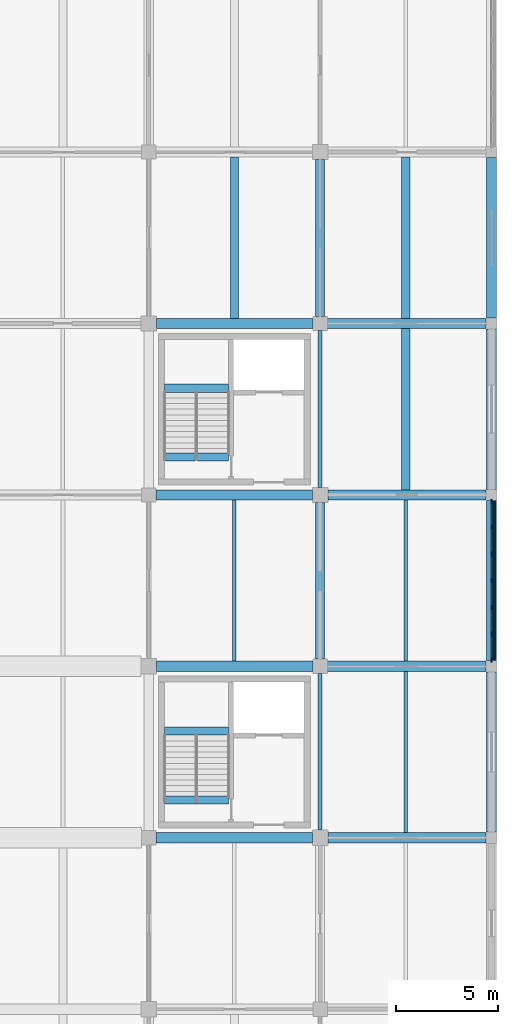
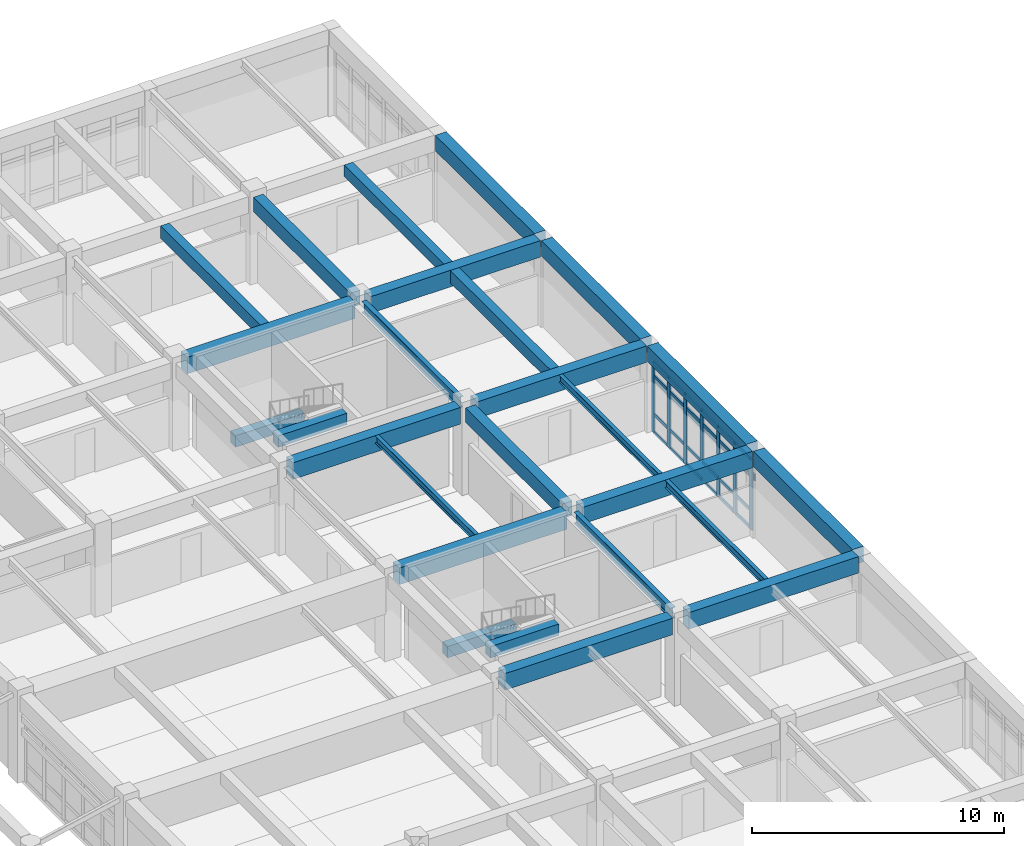
# One storey, part 49 of 99: 33 members, 26 beams, 1 element without a shape of its own.
"""IFC4 building model written with IfcOpenShell, lengths in metres."""

from ifc_helpers import new_model, si_unit, direction, frame, origin, origin_2d, place, context, subcontext, project, spatial, rectangle, i_section, extrude, material, layer, layer_set, material_profile, profile_set, type_object, element, aggregate, save


model = new_model("IFC4")

# Units and contexts
model_context = context("Model", 3, precision=1e-05, world=origin(), true_north=direction((0.0, 1.0)))
body_context = subcontext(model_context, "Body", "Model", "MODEL_VIEW")
ifc_project = project(units=[si_unit("LENGTHUNIT", "METRE"), si_unit("AREAUNIT", "SQUARE_METRE"), si_unit("VOLUMEUNIT", "CUBIC_METRE"), si_unit("PLANEANGLEUNIT", "RADIAN"), si_unit("MASSUNIT", "GRAM", prefix="KILO")], contexts=[model_context])

# Site, building, storey
site_placement = place(None, origin())
site = spatial("IfcSite", under=ifc_project, at=site_placement, CompositionType="ELEMENT")
building_placement = place(site_placement, origin())
building = spatial("IfcBuilding", under=site, at=building_placement, Name="Porcellanite Civic Hall", CompositionType="ELEMENT")
storey_placement = place(building_placement, frame((0.0, 0.0, 5.760009765625)))
storey = spatial("IfcBuildingStorey", under=building, at=storey_placement, Name="L01", CompositionType="ELEMENT", Elevation=5.760009765625)

# Beams
ifc_material_1 = material(Name="Concrete N50 (50 MPa)", Category="concrete")
ifc_material_profile_1 = material_profile(ifc_material_1, rectangle(XDim=0.39990234375, YDim=0.550048828125, at=origin_2d()), Name="RC-400x550")
ifc_profile_set_1 = profile_set([ifc_material_profile_1], Name="Concrete N50 (50 MPa)")
beam_type_1 = type_object("IfcBeamType", Name="BM-RC550", PredefinedType="JOIST", material=ifc_profile_set_1)
beam_1_placement = place(storey_placement, frame((172.199951171875, 59.049560546875, 3.925048828125), z_axis=(0.0, 1.0, 0.0), x_axis=(-1.0, 0.0, 0.0)))
element("IfcBeam", 1, at=beam_1_placement, inside=storey, type_object=beam_type_1, Name="Secondary joist L01 21-8", PredefinedType="JOIST", context=body_context, shape_type="SweptSolid", body=[
    extrude(rectangle(XDim=0.39990234375, YDim=0.550048828125, at=origin_2d()), origin(), (0.0, 0.0, 1.0), 7.90087890625),
])
for number, where, z_axis, x_axis, name in (
    (2, (160.380615234375, 38.824951171875, 1.885009765625), (1.0, 0.0, 0.0), (0.0, 1.0, 0.0), "Stair landing beam C7 L01"),
    (3, (160.380615234375, 35.449951171875, 3.925048828125), (1.0, 0.0, 0.0), (0.0, 1.0, 0.0), "Stair header beam C7 L01"),
    (4, (160.380615234375, 55.625, 1.885009765625), (1.0, 0.0, 0.0), (0.0, 1.0, 0.0), "Stair landing beam C8 L01"),
    (5, (160.380615234375, 52.25, 3.925048828125), (1.0, 0.0, 0.0), (0.0, 1.0, 0.0), "Stair header beam C8 L01"),
):
    element("IfcBeam", number, at=place(storey_placement, frame(where, z_axis=z_axis, x_axis=x_axis)), inside=storey, type_object=beam_type_1, Name=name, PredefinedType="JOIST", context=body_context, shape_type="SweptSolid", body=[
        extrude(rectangle(XDim=0.39990234375, YDim=0.550048828125, at=origin_2d()), origin(), (0.0, 0.0, 1.0), 3.138916015625),
    ])
ifc_material_2 = material(Name="Concrete N50 (50 MPa)", Category="concrete")
ifc_material_profile_2 = material_profile(ifc_material_2, rectangle(XDim=0.39990234375, YDim=0.60009765625, at=origin_2d()), Name="RC-400x600")
ifc_profile_set_2 = profile_set([ifc_material_profile_2], Name="Concrete N50 (50 MPa)")
beam_type_2 = type_object("IfcBeamType", Name="BM-RC600", PredefinedType="JOIST", material=ifc_profile_set_2)
beam_2_placement = place(storey_placement, frame((163.800048828125, 59.049560546875, 3.89990234375), z_axis=(0.0, 1.0, 0.0), x_axis=(-1.0, 0.0, 0.0)))
element("IfcBeam", 6, at=beam_2_placement, inside=storey, type_object=beam_type_2, Name="Secondary joist L01 20-8", PredefinedType="JOIST", context=body_context, shape_type="SweptSolid", body=[
    extrude(rectangle(XDim=0.39990234375, YDim=0.60009765625, at=origin_2d()), origin(), (0.0, 0.0, 1.0), 7.90087890625),
])
beam_3_placement = place(storey_placement, frame((172.199951171875, 50.6494140625, 3.89990234375), z_axis=(0.0, 1.0, 0.0), x_axis=(-1.0, 0.0, 0.0)))
element("IfcBeam", 7, at=beam_3_placement, inside=storey, type_object=beam_type_2, Name="Secondary joist L01 21-7", PredefinedType="JOIST", context=body_context, shape_type="SweptSolid", body=[
    extrude(rectangle(XDim=0.39990234375, YDim=0.60009765625, at=origin_2d()), origin(), (0.0, 0.0, 1.0), 7.901123046875),
])
ifc_material_3 = material(Name="Concrete N50 (50 MPa)", Category="concrete")
ifc_material_profile_3 = material_profile(ifc_material_3, rectangle(XDim=0.449951171875, YDim=0.699951171875, at=origin_2d()), Name="RC-450x700")
ifc_profile_set_3 = profile_set([ifc_material_profile_3], Name="Concrete N50 (50 MPa)")
beam_type_3 = type_object("IfcBeamType", Name="BM-RC700", PredefinedType="BEAM", material=ifc_profile_set_3)
beam_4_placement = place(storey_placement, frame((168.0, 42.349609375, 3.85009765625), z_axis=(0.0, 1.0, 0.0), x_axis=(-1.0, 0.0, 0.0)))
element("IfcBeam", 8, at=beam_4_placement, inside=storey, type_object=beam_type_3, Name="Beam Y L01 21-6", PredefinedType="BEAM", context=body_context, shape_type="SweptSolid", body=[
    extrude(rectangle(XDim=0.449951171875, YDim=0.699951171875, at=origin_2d()), origin(), (0.0, 0.0, 1.0), 7.67578125),
])
beam_5_placement = place(storey_placement, frame((168.0, 59.1494140625, 3.85009765625), z_axis=(0.0, 1.0, 0.0), x_axis=(-1.0, 0.0, 0.0)))
element("IfcBeam", 9, at=beam_5_placement, inside=storey, type_object=beam_type_3, Name="Beam Y L01 21-8", PredefinedType="BEAM", context=body_context, shape_type="SweptSolid", body=[
    extrude(rectangle(XDim=0.449951171875, YDim=0.699951171875, at=origin_2d()), origin(), (0.0, 0.0, 1.0), 7.676025390625),
])
ifc_material_4 = material(Name="Concrete N50 (50 MPa)", Category="concrete")
ifc_material_profile_4 = material_profile(ifc_material_4, rectangle(XDim=0.5, YDim=0.75, at=origin_2d()), Name="RC-500x750")
ifc_profile_set_4 = profile_set([ifc_material_profile_4], Name="Concrete N50 (50 MPa)")
beam_type_4 = type_object("IfcBeamType", Name="BM-RC750", PredefinedType="SPANDREL", material=ifc_profile_set_4)
for number, where, z_axis, x_axis, name in (
    (10, (176.39990234375, 33.87451171875, 3.824951171875), (0.0, 1.0, 0.0), (-1.0, 0.0, 0.0), "Beam Y L01 22-5"),
    (11, (176.39990234375, 42.2744140625, 3.824951171875), (0.0, 1.0, 0.0), (-1.0, 0.0, 0.0), "Beam Y L01 22-6"),
):
    element("IfcBeam", number, at=place(storey_placement, frame(where, z_axis=z_axis, x_axis=x_axis)), inside=storey, type_object=beam_type_4, Name=name, PredefinedType="SPANDREL", context=body_context, shape_type="SweptSolid", body=[
        extrude(rectangle(XDim=0.5, YDim=0.75, at=origin_2d()), origin(), (0.0, 0.0, 1.0), 7.85107421875),
    ])
beam_6_placement = place(storey_placement, frame((176.39990234375, 50.674560546875, 3.824951171875), z_axis=(0.0, 1.0, 0.0), x_axis=(-1.0, 0.0, 0.0)))
element("IfcBeam", 12, at=beam_6_placement, inside=storey, type_object=beam_type_4, Name="Beam Y L01 22-7", PredefinedType="SPANDREL", context=body_context, shape_type="SweptSolid", body=[
    extrude(rectangle(XDim=0.5, YDim=0.75, at=origin_2d()), origin(), (0.0, 0.0, 1.0), 7.850830078125),
])
beam_7_placement = place(storey_placement, frame((176.39990234375, 59.074462890625, 3.824951171875), z_axis=(0.0, 1.0, 0.0), x_axis=(-1.0, 0.0, 0.0)))
element("IfcBeam", 13, at=beam_7_placement, inside=storey, type_object=beam_type_4, Name="Beam Y L01 22-8", PredefinedType="SPANDREL", context=body_context, shape_type="SweptSolid", body=[
    extrude(rectangle(XDim=0.5, YDim=0.75, at=origin_2d()), origin(), (0.0, 0.0, 1.0), 7.85107421875),
])
ifc_material_5 = material(Name="Concrete N50 (50 MPa)", Category="concrete")
ifc_material_profile_5 = material_profile(ifc_material_5, rectangle(XDim=0.5, YDim=0.800048828125, at=origin_2d()), Name="RC-500x800")
ifc_profile_set_5 = profile_set([ifc_material_profile_5], Name="Concrete N50 (50 MPa)")
beam_type_5 = type_object("IfcBeamType", Name="BM-RC800", PredefinedType="BEAM", material=ifc_profile_set_5)
beam_8_placement = place(storey_placement, frame((159.949462890625, 33.60009765625, 3.800048828125), z_axis=(1.0, 0.0, 0.0), x_axis=(0.0, 1.0, 0.0)))
element("IfcBeam", 14, at=beam_8_placement, inside=storey, type_object=beam_type_5, Name="Beam X L01 20-5", PredefinedType="BEAM", context=body_context, shape_type="SweptSolid", body=[
    extrude(rectangle(XDim=0.5, YDim=0.800048828125, at=origin_2d()), origin(), (0.0, 0.0, 1.0), 7.676025390625),
])
beam_9_placement = place(storey_placement, frame((159.974609375, 42.0, 3.800048828125), z_axis=(1.0, 0.0, 0.0), x_axis=(0.0, 1.0, 0.0)))
element("IfcBeam", 15, at=beam_9_placement, inside=storey, type_object=beam_type_5, Name="Beam X L01 20-6", PredefinedType="BEAM", context=body_context, shape_type="SweptSolid", body=[
    extrude(rectangle(XDim=0.5, YDim=0.800048828125, at=origin_2d()), origin(), (0.0, 0.0, 1.0), 7.67578125),
])
beam_10_placement = place(storey_placement, frame((159.949462890625, 50.39990234375, 3.800048828125), z_axis=(1.0, 0.0, 0.0), x_axis=(0.0, 1.0, 0.0)))
element("IfcBeam", 16, at=beam_10_placement, inside=storey, type_object=beam_type_5, Name="Beam X L01 20-7", PredefinedType="BEAM", context=body_context, shape_type="SweptSolid", body=[
    extrude(rectangle(XDim=0.5, YDim=0.800048828125, at=origin_2d()), origin(), (0.0, 0.0, 1.0), 7.676025390625),
])
beam_11_placement = place(storey_placement, frame((159.974609375, 58.800048828125, 3.800048828125), z_axis=(1.0, 0.0, 0.0), x_axis=(0.0, 1.0, 0.0)))
element("IfcBeam", 17, at=beam_11_placement, inside=storey, type_object=beam_type_5, Name="Beam X L01 20-8", PredefinedType="BEAM", context=body_context, shape_type="SweptSolid", body=[
    extrude(rectangle(XDim=0.5, YDim=0.800048828125, at=origin_2d()), origin(), (0.0, 0.0, 1.0), 7.67578125),
])
beam_12_placement = place(storey_placement, frame((168.37451171875, 33.60009765625, 3.800048828125), z_axis=(1.0, 0.0, 0.0), x_axis=(0.0, 1.0, 0.0)))
element("IfcBeam", 18, at=beam_12_placement, inside=storey, type_object=beam_type_5, Name="Beam X L01 21-5", PredefinedType="BEAM", context=body_context, shape_type="SweptSolid", body=[
    extrude(rectangle(XDim=0.5, YDim=0.800048828125, at=origin_2d()), origin(), (0.0, 0.0, 1.0), 7.7509765625),
])
beam_13_placement = place(storey_placement, frame((168.349609375, 42.0, 3.800048828125), z_axis=(1.0, 0.0, 0.0), x_axis=(0.0, 1.0, 0.0)))
element("IfcBeam", 19, at=beam_13_placement, inside=storey, type_object=beam_type_5, Name="Beam X L01 21-6", PredefinedType="BEAM", context=body_context, shape_type="SweptSolid", body=[
    extrude(rectangle(XDim=0.5, YDim=0.800048828125, at=origin_2d()), origin(), (0.0, 0.0, 1.0), 7.77587890625),
])
beam_14_placement = place(storey_placement, frame((168.37451171875, 50.39990234375, 3.800048828125), z_axis=(1.0, 0.0, 0.0), x_axis=(0.0, 1.0, 0.0)))
element("IfcBeam", 20, at=beam_14_placement, inside=storey, type_object=beam_type_5, Name="Beam X L01 21-7", PredefinedType="BEAM", context=body_context, shape_type="SweptSolid", body=[
    extrude(rectangle(XDim=0.5, YDim=0.800048828125, at=origin_2d()), origin(), (0.0, 0.0, 1.0), 7.7509765625),
])
beam_15_placement = place(storey_placement, frame((168.349609375, 58.800048828125, 3.800048828125), z_axis=(1.0, 0.0, 0.0), x_axis=(0.0, 1.0, 0.0)))
element("IfcBeam", 21, at=beam_15_placement, inside=storey, type_object=beam_type_5, Name="Beam X L01 21-8", PredefinedType="BEAM", context=body_context, shape_type="SweptSolid", body=[
    extrude(rectangle(XDim=0.5, YDim=0.800048828125, at=origin_2d()), origin(), (0.0, 0.0, 1.0), 7.77587890625),
])

# Curtain wall, members
ifc_material_6 = material(Name="Anodised aluminium and solar laminated glass", Category="aluminium")
ifc_layer = layer(ifc_material_6, 0.179931640625)
ifc_layer_set = layer_set([ifc_layer], Name="Anodised aluminium and solar laminated glass")
curtain_wall_type = type_object("IfcCurtainWallType", Name="CW-SYS02", PredefinedType="NOTDEFINED", material=ifc_layer_set)
curtain_wall_placement = place(storey_placement, origin())
curtain_wall = element("IfcCurtainWall", 22, at=curtain_wall_placement, inside=storey, type_object=curtain_wall_type, Name="Curtain wall CW-130", PredefinedType="NOTDEFINED")
ifc_material_7 = material(Name="Anodised aluminium 6063-T6", Category="aluminium")
ifc_material_profile_6 = material_profile(ifc_material_7, rectangle(XDim=0.074951171875, YDim=0.219970703125, at=origin_2d()), Name="AL-75x220")
ifc_profile_set_6 = profile_set([ifc_material_profile_6], Name="Anodised aluminium 6063-T6")
member_type_1 = type_object("IfcMemberType", Name="CWM-03", PredefinedType="MULLION", material=ifc_profile_set_6)
member_1_placement = place(storey_placement, frame((176.39990234375, 50.08642578125, 0.0), z_axis=(0.0, 0.0, 1.0), x_axis=(1.0, 0.0, 0.0)))
member_1 = element("IfcMember", 23, at=member_1_placement, type_object=member_type_1, Name="CW-130 mullion 1", PredefinedType="MULLION", context=body_context, shape_type="SweptSolid", body=[
    extrude(rectangle(XDim=0.074951171875, YDim=0.219970703125, at=origin_2d()), origin(), (0.0, 0.0, 1.0), 3.39990234375),
])
member_2_placement = place(storey_placement, frame((176.39990234375, 48.81591796875, 0.0), z_axis=(0.0, 0.0, 1.0), x_axis=(1.0, 0.0, 0.0)))
member_2 = element("IfcMember", 24, at=member_2_placement, type_object=member_type_1, Name="CW-130 mullion 2", PredefinedType="MULLION", context=body_context, shape_type="SweptSolid", body=[
    extrude(rectangle(XDim=0.074951171875, YDim=0.219970703125, at=origin_2d()), origin(), (0.0, 0.0, 1.0), 3.39990234375),
])
member_3_placement = place(storey_placement, frame((176.39990234375, 47.508056640625, 0.0), z_axis=(0.0, 0.0, 1.0), x_axis=(1.0, 0.0, 0.0)))
member_3 = element("IfcMember", 25, at=member_3_placement, type_object=member_type_1, Name="CW-130 mullion 3", PredefinedType="MULLION", context=body_context, shape_type="SweptSolid", body=[
    extrude(rectangle(XDim=0.074951171875, YDim=0.219970703125, at=origin_2d()), origin(), (0.0, 0.0, 1.0), 3.39990234375),
])
member_4_placement = place(storey_placement, frame((176.39990234375, 46.199951171875, 0.0), z_axis=(0.0, 0.0, 1.0), x_axis=(1.0, 0.0, 0.0)))
member_4 = element("IfcMember", 26, at=member_4_placement, type_object=member_type_1, Name="CW-130 mullion 4", PredefinedType="MULLION", context=body_context, shape_type="SweptSolid", body=[
    extrude(rectangle(XDim=0.074951171875, YDim=0.219970703125, at=origin_2d()), origin(), (0.0, 0.0, 1.0), 3.39990234375),
])
member_5_placement = place(storey_placement, frame((176.39990234375, 44.89208984375, 0.0), z_axis=(0.0, 0.0, 1.0), x_axis=(1.0, 0.0, 0.0)))
member_5 = element("IfcMember", 27, at=member_5_placement, type_object=member_type_1, Name="CW-130 mullion 5", PredefinedType="MULLION", context=body_context, shape_type="SweptSolid", body=[
    extrude(rectangle(XDim=0.074951171875, YDim=0.219970703125, at=origin_2d()), origin(), (0.0, 0.0, 1.0), 3.39990234375),
])
member_6_placement = place(storey_placement, frame((176.39990234375, 43.583984375, 0.0), z_axis=(0.0, 0.0, 1.0), x_axis=(1.0, 0.0, 0.0)))
member_6 = element("IfcMember", 28, at=member_6_placement, type_object=member_type_1, Name="CW-130 mullion 6", PredefinedType="MULLION", context=body_context, shape_type="SweptSolid", body=[
    extrude(rectangle(XDim=0.074951171875, YDim=0.219970703125, at=origin_2d()), origin(), (0.0, 0.0, 1.0), 3.39990234375),
])
member_7_placement = place(storey_placement, frame((176.39990234375, 42.3134765625, 0.0), z_axis=(0.0, 0.0, 1.0), x_axis=(1.0, 0.0, 0.0)))
member_7 = element("IfcMember", 29, at=member_7_placement, type_object=member_type_1, Name="CW-130 mullion 7", PredefinedType="MULLION", context=body_context, shape_type="SweptSolid", body=[
    extrude(rectangle(XDim=0.074951171875, YDim=0.219970703125, at=origin_2d()), origin(), (0.0, 0.0, 1.0), 3.39990234375),
])
ifc_material_8 = material(Name="Anodised aluminium 6063-T6", Category="aluminium")
ifc_material_profile_7 = material_profile(ifc_material_8, rectangle(XDim=0.06494140625, YDim=0.14990234375, at=origin_2d()), Name="AL-65x150")
ifc_profile_set_7 = profile_set([ifc_material_profile_7], Name="Anodised aluminium 6063-T6")
member_type_2 = type_object("IfcMemberType", Name="CWT-02", PredefinedType="USERDEFINED", material=ifc_profile_set_7)
member_8_placement = place(storey_placement, frame((176.39990234375, 50.049072265625, 0.032470703125), z_axis=(0.0, -1.0, 0.0), x_axis=(1.0, 0.0, 0.0)))
member_8 = element("IfcMember", 30, at=member_8_placement, type_object=member_type_2, Name="CW-130 transom 1.1", ObjectType="TRANSOM", PredefinedType="USERDEFINED", context=body_context, shape_type="SweptSolid", body=[
    extrude(rectangle(XDim=0.06494140625, YDim=0.14990234375, at=origin_2d()), origin(), (0.0, 0.0, 1.0), 1.195556640625),
])
member_9_placement = place(storey_placement, frame((176.39990234375, 50.049072265625, 0.89990234375), z_axis=(0.0, -1.0, 0.0), x_axis=(1.0, 0.0, 0.0)))
member_9 = element("IfcMember", 31, at=member_9_placement, type_object=member_type_2, Name="CW-130 transom 1.2", ObjectType="TRANSOM", PredefinedType="USERDEFINED", context=body_context, shape_type="SweptSolid", body=[
    extrude(rectangle(XDim=0.06494140625, YDim=0.14990234375, at=origin_2d()), origin(), (0.0, 0.0, 1.0), 1.195556640625),
])
member_10_placement = place(storey_placement, frame((176.39990234375, 50.049072265625, 2.75), z_axis=(0.0, -1.0, 0.0), x_axis=(1.0, 0.0, 0.0)))
member_10 = element("IfcMember", 32, at=member_10_placement, type_object=member_type_2, Name="CW-130 transom 1.3", ObjectType="TRANSOM", PredefinedType="USERDEFINED", context=body_context, shape_type="SweptSolid", body=[
    extrude(rectangle(XDim=0.06494140625, YDim=0.14990234375, at=origin_2d()), origin(), (0.0, 0.0, 1.0), 1.195556640625),
])
member_11_placement = place(storey_placement, frame((176.39990234375, 50.049072265625, 3.367431640625), z_axis=(0.0, -1.0, 0.0), x_axis=(1.0, 0.0, 0.0)))
member_11 = element("IfcMember", 33, at=member_11_placement, type_object=member_type_2, Name="CW-130 transom 1.4", ObjectType="TRANSOM", PredefinedType="USERDEFINED", context=body_context, shape_type="SweptSolid", body=[
    extrude(rectangle(XDim=0.06494140625, YDim=0.14990234375, at=origin_2d()), origin(), (0.0, 0.0, 1.0), 1.195556640625),
])
member_12_placement = place(storey_placement, frame((176.39990234375, 48.778564453125, 0.032470703125), z_axis=(0.0, -1.0, 0.0), x_axis=(1.0, 0.0, 0.0)))
member_12 = element("IfcMember", 34, at=member_12_placement, type_object=member_type_2, Name="CW-130 transom 2.1", ObjectType="TRANSOM", PredefinedType="USERDEFINED", context=body_context, shape_type="SweptSolid", body=[
    extrude(rectangle(XDim=0.06494140625, YDim=0.14990234375, at=origin_2d()), origin(), (0.0, 0.0, 1.0), 1.233154296875),
])
member_13_placement = place(storey_placement, frame((176.39990234375, 48.778564453125, 0.89990234375), z_axis=(0.0, -1.0, 0.0), x_axis=(1.0, 0.0, 0.0)))
member_13 = element("IfcMember", 35, at=member_13_placement, type_object=member_type_2, Name="CW-130 transom 2.2", ObjectType="TRANSOM", PredefinedType="USERDEFINED", context=body_context, shape_type="SweptSolid", body=[
    extrude(rectangle(XDim=0.06494140625, YDim=0.14990234375, at=origin_2d()), origin(), (0.0, 0.0, 1.0), 1.233154296875),
])
member_14_placement = place(storey_placement, frame((176.39990234375, 48.778564453125, 2.75), z_axis=(0.0, -1.0, 0.0), x_axis=(1.0, 0.0, 0.0)))
member_14 = element("IfcMember", 36, at=member_14_placement, type_object=member_type_2, Name="CW-130 transom 2.3", ObjectType="TRANSOM", PredefinedType="USERDEFINED", context=body_context, shape_type="SweptSolid", body=[
    extrude(rectangle(XDim=0.06494140625, YDim=0.14990234375, at=origin_2d()), origin(), (0.0, 0.0, 1.0), 1.233154296875),
])
member_15_placement = place(storey_placement, frame((176.39990234375, 48.778564453125, 3.367431640625), z_axis=(0.0, -1.0, 0.0), x_axis=(1.0, 0.0, 0.0)))
member_15 = element("IfcMember", 37, at=member_15_placement, type_object=member_type_2, Name="CW-130 transom 2.4", ObjectType="TRANSOM", PredefinedType="USERDEFINED", context=body_context, shape_type="SweptSolid", body=[
    extrude(rectangle(XDim=0.06494140625, YDim=0.14990234375, at=origin_2d()), origin(), (0.0, 0.0, 1.0), 1.233154296875),
])
member_16_placement = place(storey_placement, frame((176.39990234375, 47.470458984375, 0.032470703125), z_axis=(0.0, -1.0, 0.0), x_axis=(1.0, 0.0, 0.0)))
member_16 = element("IfcMember", 38, at=member_16_placement, type_object=member_type_2, Name="CW-130 transom 3.1", ObjectType="TRANSOM", PredefinedType="USERDEFINED", context=body_context, shape_type="SweptSolid", body=[
    extrude(rectangle(XDim=0.06494140625, YDim=0.14990234375, at=origin_2d()), origin(), (0.0, 0.0, 1.0), 1.23291015625),
])
member_17_placement = place(storey_placement, frame((176.39990234375, 47.470458984375, 0.89990234375), z_axis=(0.0, -1.0, 0.0), x_axis=(1.0, 0.0, 0.0)))
member_17 = element("IfcMember", 39, at=member_17_placement, type_object=member_type_2, Name="CW-130 transom 3.2", ObjectType="TRANSOM", PredefinedType="USERDEFINED", context=body_context, shape_type="SweptSolid", body=[
    extrude(rectangle(XDim=0.06494140625, YDim=0.14990234375, at=origin_2d()), origin(), (0.0, 0.0, 1.0), 1.23291015625),
])
member_18_placement = place(storey_placement, frame((176.39990234375, 47.470458984375, 2.75), z_axis=(0.0, -1.0, 0.0), x_axis=(1.0, 0.0, 0.0)))
member_18 = element("IfcMember", 40, at=member_18_placement, type_object=member_type_2, Name="CW-130 transom 3.3", ObjectType="TRANSOM", PredefinedType="USERDEFINED", context=body_context, shape_type="SweptSolid", body=[
    extrude(rectangle(XDim=0.06494140625, YDim=0.14990234375, at=origin_2d()), origin(), (0.0, 0.0, 1.0), 1.23291015625),
])
member_19_placement = place(storey_placement, frame((176.39990234375, 47.470458984375, 3.367431640625), z_axis=(0.0, -1.0, 0.0), x_axis=(1.0, 0.0, 0.0)))
member_19 = element("IfcMember", 41, at=member_19_placement, type_object=member_type_2, Name="CW-130 transom 3.4", ObjectType="TRANSOM", PredefinedType="USERDEFINED", context=body_context, shape_type="SweptSolid", body=[
    extrude(rectangle(XDim=0.06494140625, YDim=0.14990234375, at=origin_2d()), origin(), (0.0, 0.0, 1.0), 1.23291015625),
])
member_20_placement = place(storey_placement, frame((176.39990234375, 46.16259765625, 0.032470703125), z_axis=(0.0, -1.0, 0.0), x_axis=(1.0, 0.0, 0.0)))
member_20 = element("IfcMember", 42, at=member_20_placement, type_object=member_type_2, Name="CW-130 transom 4.1", ObjectType="TRANSOM", PredefinedType="USERDEFINED", context=body_context, shape_type="SweptSolid", body=[
    extrude(rectangle(XDim=0.06494140625, YDim=0.14990234375, at=origin_2d()), origin(), (0.0, 0.0, 1.0), 1.233154296875),
])
member_21_placement = place(storey_placement, frame((176.39990234375, 46.16259765625, 0.89990234375), z_axis=(0.0, -1.0, 0.0), x_axis=(1.0, 0.0, 0.0)))
member_21 = element("IfcMember", 43, at=member_21_placement, type_object=member_type_2, Name="CW-130 transom 4.2", ObjectType="TRANSOM", PredefinedType="USERDEFINED", context=body_context, shape_type="SweptSolid", body=[
    extrude(rectangle(XDim=0.06494140625, YDim=0.14990234375, at=origin_2d()), origin(), (0.0, 0.0, 1.0), 1.233154296875),
])
member_22_placement = place(storey_placement, frame((176.39990234375, 46.16259765625, 2.75), z_axis=(0.0, -1.0, 0.0), x_axis=(1.0, 0.0, 0.0)))
member_22 = element("IfcMember", 44, at=member_22_placement, type_object=member_type_2, Name="CW-130 transom 4.3", ObjectType="TRANSOM", PredefinedType="USERDEFINED", context=body_context, shape_type="SweptSolid", body=[
    extrude(rectangle(XDim=0.06494140625, YDim=0.14990234375, at=origin_2d()), origin(), (0.0, 0.0, 1.0), 1.233154296875),
])
member_23_placement = place(storey_placement, frame((176.39990234375, 46.16259765625, 3.367431640625), z_axis=(0.0, -1.0, 0.0), x_axis=(1.0, 0.0, 0.0)))
member_23 = element("IfcMember", 45, at=member_23_placement, type_object=member_type_2, Name="CW-130 transom 4.4", ObjectType="TRANSOM", PredefinedType="USERDEFINED", context=body_context, shape_type="SweptSolid", body=[
    extrude(rectangle(XDim=0.06494140625, YDim=0.14990234375, at=origin_2d()), origin(), (0.0, 0.0, 1.0), 1.233154296875),
])
member_24_placement = place(storey_placement, frame((176.39990234375, 44.8544921875, 0.032470703125), z_axis=(0.0, -1.0, 0.0), x_axis=(1.0, 0.0, 0.0)))
member_24 = element("IfcMember", 46, at=member_24_placement, type_object=member_type_2, Name="CW-130 transom 5.1", ObjectType="TRANSOM", PredefinedType="USERDEFINED", context=body_context, shape_type="SweptSolid", body=[
    extrude(rectangle(XDim=0.06494140625, YDim=0.14990234375, at=origin_2d()), origin(), (0.0, 0.0, 1.0), 1.23291015625),
])
member_25_placement = place(storey_placement, frame((176.39990234375, 44.8544921875, 0.89990234375), z_axis=(0.0, -1.0, 0.0), x_axis=(1.0, 0.0, 0.0)))
member_25 = element("IfcMember", 47, at=member_25_placement, type_object=member_type_2, Name="CW-130 transom 5.2", ObjectType="TRANSOM", PredefinedType="USERDEFINED", context=body_context, shape_type="SweptSolid", body=[
    extrude(rectangle(XDim=0.06494140625, YDim=0.14990234375, at=origin_2d()), origin(), (0.0, 0.0, 1.0), 1.23291015625),
])
member_26_placement = place(storey_placement, frame((176.39990234375, 44.8544921875, 2.75), z_axis=(0.0, -1.0, 0.0), x_axis=(1.0, 0.0, 0.0)))
member_26 = element("IfcMember", 48, at=member_26_placement, type_object=member_type_2, Name="CW-130 transom 5.3", ObjectType="TRANSOM", PredefinedType="USERDEFINED", context=body_context, shape_type="SweptSolid", body=[
    extrude(rectangle(XDim=0.06494140625, YDim=0.14990234375, at=origin_2d()), origin(), (0.0, 0.0, 1.0), 1.23291015625),
])
member_27_placement = place(storey_placement, frame((176.39990234375, 44.8544921875, 3.367431640625), z_axis=(0.0, -1.0, 0.0), x_axis=(1.0, 0.0, 0.0)))
member_27 = element("IfcMember", 49, at=member_27_placement, type_object=member_type_2, Name="CW-130 transom 5.4", ObjectType="TRANSOM", PredefinedType="USERDEFINED", context=body_context, shape_type="SweptSolid", body=[
    extrude(rectangle(XDim=0.06494140625, YDim=0.14990234375, at=origin_2d()), origin(), (0.0, 0.0, 1.0), 1.23291015625),
])
member_28_placement = place(storey_placement, frame((176.39990234375, 43.54638671875, 0.032470703125), z_axis=(0.0, -1.0, 0.0), x_axis=(1.0, 0.0, 0.0)))
member_28 = element("IfcMember", 50, at=member_28_placement, type_object=member_type_2, Name="CW-130 transom 6.1", ObjectType="TRANSOM", PredefinedType="USERDEFINED", context=body_context, shape_type="SweptSolid", body=[
    extrude(rectangle(XDim=0.06494140625, YDim=0.14990234375, at=origin_2d()), origin(), (0.0, 0.0, 1.0), 1.1953125),
])
member_29_placement = place(storey_placement, frame((176.39990234375, 43.54638671875, 0.89990234375), z_axis=(0.0, -1.0, 0.0), x_axis=(1.0, 0.0, 0.0)))
member_29 = element("IfcMember", 51, at=member_29_placement, type_object=member_type_2, Name="CW-130 transom 6.2", ObjectType="TRANSOM", PredefinedType="USERDEFINED", context=body_context, shape_type="SweptSolid", body=[
    extrude(rectangle(XDim=0.06494140625, YDim=0.14990234375, at=origin_2d()), origin(), (0.0, 0.0, 1.0), 1.1953125),
])
member_30_placement = place(storey_placement, frame((176.39990234375, 43.54638671875, 2.75), z_axis=(0.0, -1.0, 0.0), x_axis=(1.0, 0.0, 0.0)))
member_30 = element("IfcMember", 52, at=member_30_placement, type_object=member_type_2, Name="CW-130 transom 6.3", ObjectType="TRANSOM", PredefinedType="USERDEFINED", context=body_context, shape_type="SweptSolid", body=[
    extrude(rectangle(XDim=0.06494140625, YDim=0.14990234375, at=origin_2d()), origin(), (0.0, 0.0, 1.0), 1.1953125),
])
member_31_placement = place(storey_placement, frame((176.39990234375, 43.54638671875, 3.367431640625), z_axis=(0.0, -1.0, 0.0), x_axis=(1.0, 0.0, 0.0)))
member_31 = element("IfcMember", 53, at=member_31_placement, type_object=member_type_2, Name="CW-130 transom 6.4", ObjectType="TRANSOM", PredefinedType="USERDEFINED", context=body_context, shape_type="SweptSolid", body=[
    extrude(rectangle(XDim=0.06494140625, YDim=0.14990234375, at=origin_2d()), origin(), (0.0, 0.0, 1.0), 1.1953125),
])
aggregate(curtain_wall, [member_1, member_2, member_3, member_4, member_5, member_6, member_7, member_8, member_9, member_10, member_11, member_12, member_13, member_14, member_15, member_16, member_17, member_18, member_19, member_20, member_21, member_22, member_23, member_24, member_25, member_26, member_27, member_28, member_29, member_30, member_31])

# Beams
ifc_material_9 = material(Name="Steel Grade 350", Category="steel")
ifc_material_profile_8 = material_profile(ifc_material_9, i_section(OverallWidth=0.1708984375, OverallDepth=0.35595703125, WebThickness=0.00732421875, FlangeThickness=0.011474609375, FilletRadius=0.011474609375, at=origin_2d()), Name="360UB50.7")
ifc_profile_set_8 = profile_set([ifc_material_profile_8], Name="Steel Grade 350")
beam_type_6 = type_object("IfcBeamType", Name="JST-360UB51", PredefinedType="JOIST", material=ifc_profile_set_8)
beam_16_placement = place(storey_placement, frame((172.199951171875, 42.24951171875, 4.02197265625), z_axis=(0.0, 1.0, 0.0), x_axis=(-1.0, 0.0, 0.0)))
element("IfcBeam", 54, at=beam_16_placement, inside=storey, type_object=beam_type_6, Name="Secondary joist L01 21-6", PredefinedType="JOIST", context=body_context, shape_type="SweptSolid", body=[
    extrude(i_section(OverallWidth=0.1708984375, OverallDepth=0.35595703125, WebThickness=0.00732421875, FlangeThickness=0.011474609375, FilletRadius=0.011474609375, at=origin_2d()), origin(), (0.0, 0.0, 1.0), 7.90087890625),
])
ifc_material_10 = material(Name="Steel Grade 350", Category="steel")
ifc_material_profile_9 = material_profile(ifc_material_10, i_section(OverallWidth=0.172119140625, OverallDepth=0.35888671875, WebThickness=0.008056640625, FlangeThickness=0.012939453125, FilletRadius=0.011474609375, at=origin_2d()), Name="360UB56.7")
ifc_profile_set_9 = profile_set([ifc_material_profile_9], Name="Steel Grade 350")
beam_type_7 = type_object("IfcBeamType", Name="JST-360UB57", PredefinedType="JOIST", material=ifc_profile_set_9)
for number, where, z_axis, x_axis, name in (
    (55, (163.800048828125, 42.24951171875, 4.0205078125), (0.0, 1.0, 0.0), (-1.0, 0.0, 0.0), "Secondary joist L01 20-6"),
    (56, (172.199951171875, 33.849609375, 4.0205078125), (0.0, 1.0, 0.0), (-1.0, 0.0, 0.0), "Secondary joist L01 21-5"),
):
    element("IfcBeam", number, at=place(storey_placement, frame(where, z_axis=z_axis, x_axis=x_axis)), inside=storey, type_object=beam_type_7, Name=name, PredefinedType="JOIST", context=body_context, shape_type="SweptSolid", body=[
        extrude(i_section(OverallWidth=0.172119140625, OverallDepth=0.35888671875, WebThickness=0.008056640625, FlangeThickness=0.012939453125, FilletRadius=0.011474609375, at=origin_2d()), origin(), (0.0, 0.0, 1.0), 7.90087890625),
    ])

# Members
ifc_material_11 = material(Name="Fluoropolymer bauxite-red aluminium 6063-T6", Category="aluminium")
ifc_material_profile_10 = material_profile(ifc_material_11, rectangle(XDim=0.080078125, YDim=0.320068359375, at=origin_2d()), Name="AL-80x320")
ifc_profile_set_10 = profile_set([ifc_material_profile_10], Name="Fluoropolymer bauxite-red aluminium 6063-T6")
member_type_3 = type_object("IfcMemberType", Name="LV-BLD03", PredefinedType="USERDEFINED", material=ifc_profile_set_10)
for number, where, z_axis, x_axis, name in (
    (57, (176.552001953125, 50.12548828125, 3.10009765625), (0.0, -1.0, 0.0), (1.0, 0.0, 0.0), "Cyclone sunshade louvre L01 E 20-5 1"),
    (58, (176.552001953125, 50.12548828125, 2.449951171875), (0.0, -1.0, 0.0), (1.0, 0.0, 0.0), "Cyclone sunshade louvre L01 E 20-5 2"),
):
    element("IfcMember", number, at=place(storey_placement, frame(where, z_axis=z_axis, x_axis=x_axis)), inside=storey, type_object=member_type_3, Name=name, ObjectType="LOUVRE BLADE", PredefinedType="USERDEFINED", context=body_context, shape_type="SweptSolid", body=[
        extrude(rectangle(XDim=0.080078125, YDim=0.320068359375, at=origin_2d()), origin(), (0.0, 0.0, 1.0), 7.85107421875),
    ])

# Beams
ifc_material_12 = material(Name="Steel Grade 350", Category="steel")
ifc_material_profile_11 = material_profile(ifc_material_12, i_section(OverallWidth=0.208984375, OverallDepth=0.528076171875, WebThickness=0.009521484375, FlangeThickness=0.01318359375, FilletRadius=0.013916015625, at=origin_2d()), Name="530UB82.0")
ifc_profile_set_11 = profile_set([ifc_material_profile_11], Name="Steel Grade 350")
beam_type_8 = type_object("IfcBeamType", Name="RAF-530UB82", PredefinedType="BEAM", material=ifc_profile_set_11)
beam_17_placement = place(storey_placement, frame((168.0, 33.974609375, 3.93603515625), z_axis=(0.0, 1.0, 0.0), x_axis=(-1.0, 0.0, 0.0)))
element("IfcBeam", 59, at=beam_17_placement, inside=storey, type_object=beam_type_8, Name="Beam Y L01 21-5", PredefinedType="BEAM", context=body_context, shape_type="SweptSolid", body=[
    extrude(i_section(OverallWidth=0.208984375, OverallDepth=0.528076171875, WebThickness=0.009521484375, FlangeThickness=0.01318359375, FilletRadius=0.013916015625, at=origin_2d()), origin(), (0.0, 0.0, 1.0), 7.67578125),
])
beam_18_placement = place(storey_placement, frame((168.0, 50.7744140625, 3.93603515625), z_axis=(0.0, 1.0, 0.0), x_axis=(-1.0, 0.0, 0.0)))
element("IfcBeam", 60, at=beam_18_placement, inside=storey, type_object=beam_type_8, Name="Beam Y L01 21-7", PredefinedType="BEAM", context=body_context, shape_type="SweptSolid", body=[
    extrude(i_section(OverallWidth=0.208984375, OverallDepth=0.528076171875, WebThickness=0.009521484375, FlangeThickness=0.01318359375, FilletRadius=0.013916015625, at=origin_2d()), origin(), (0.0, 0.0, 1.0), 7.676025390625),
])

save(model, "model.ifc")
